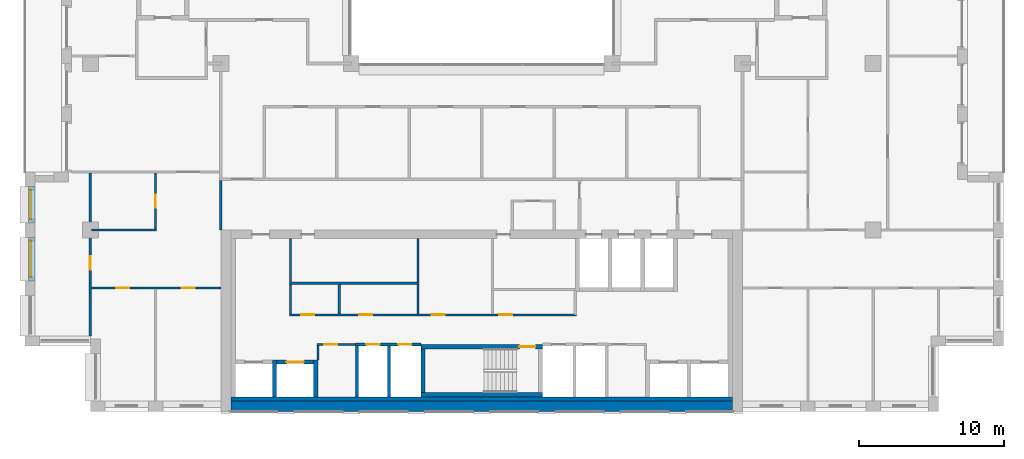
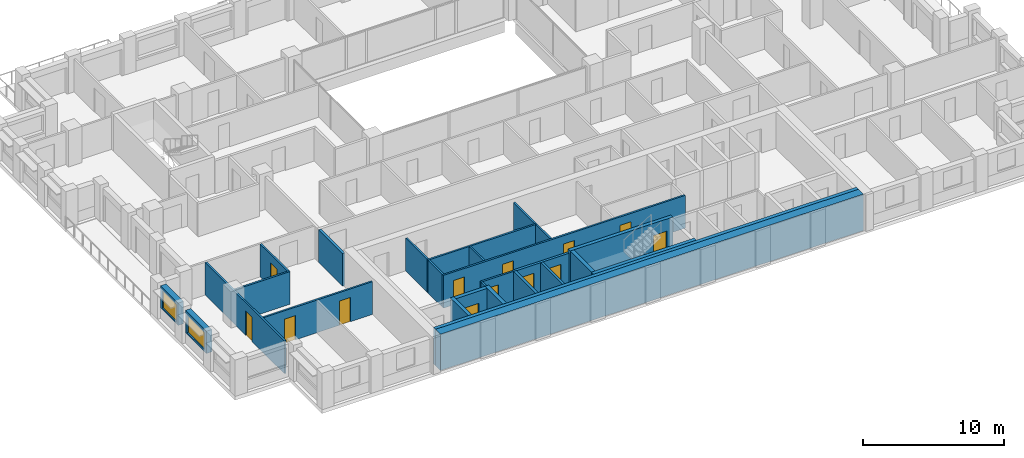
# One storey, part 8 of 15: 27 walls, 13 doors, 2 windows, 15 openings.
"""IFC4 building model written with IfcOpenShell, lengths in metres."""

import ifcopenshell
import ifcopenshell.guid

model = None  # the IFC model being written
_history = None  # IfcOwnerHistory: only IFC2X3 demands one
_inside = {}  # id of a spatial element -> (the spatial element, [elements in it])
_under = {}  # id of a project, library or spatial element -> (it, [spatial elements below it])
_declared = {}  # id of a project -> (the project, [libraries it declares])
_typed = {}  # id of a type object -> (the type object, [elements of that type])
_made_of = {}  # id of a material, layer set ... -> (it, [elements and type objects made of it])


def new_model(schema):
    """Start an empty IFC model of exactly this schema.

    Asked for "IFC4X3", IfcOpenShell would pick the latest addendum, in which some entities
    have other attributes; the version numbers below select the first issue.
    IFC2X3 requires an IfcOwnerHistory on every rooted entity: one is made here for all.
    """
    global model, _history
    if schema == "IFC4X3":
        model = ifcopenshell.file(schema_version=(4, 3, 0, 0))
    else:
        model = ifcopenshell.file(schema=schema)
    _inside.clear()
    _under.clear()
    _declared.clear()
    _typed.clear()
    _made_of.clear()
    _history = None
    if model.schema == "IFC2X3":
        org = make("IfcOrganization", Name="unknown")
        user = make(
            "IfcPersonAndOrganization",
            ThePerson=make("IfcPerson", FamilyName="unknown"),
            TheOrganization=org,
        )
        app = make(
            "IfcApplication",
            ApplicationDeveloper=org,
            Version="unknown",
            ApplicationFullName="unknown",
            ApplicationIdentifier="unknown",
        )
        _history = make(
            "IfcOwnerHistory",
            OwningUser=user,
            OwningApplication=app,
            ChangeAction="ADDED",
            CreationDate=0,
        )
    return model


def make(cls, **values):
    """One entity of the class cls with the attributes given. An attribute that is None is left unset."""
    return model.create_entity(
        cls, **{name: value for name, value in values.items() if value is not None}
    )


def rooted(cls, **values):
    """An entity with a GlobalId (a new one), such as an element, a storey or a relation."""
    return make(cls, GlobalId=ifcopenshell.guid.new(), OwnerHistory=_history, **values)


def si_unit(unit_type, name, prefix=None):
    """IfcSIUnit, for example si_unit("LENGTHUNIT", "METRE", prefix="MILLI")."""
    return make("IfcSIUnit", UnitType=unit_type, Prefix=prefix, Name=name)


def assignment(units):
    """IfcUnitAssignment: the units of a project."""
    return None if units is None else make("IfcUnitAssignment", Units=units)


def point(xyz):
    """IfcCartesianPoint."""
    return None if xyz is None else make("IfcCartesianPoint", Coordinates=xyz)


def direction(xyz):
    """IfcDirection."""
    return None if xyz is None else make("IfcDirection", DirectionRatios=xyz)


def frame(location, z_axis=None, x_axis=None):
    """IfcAxis2Placement3D, a coordinate frame: its origin and axes. An axis left out is left unset."""
    return make(
        "IfcAxis2Placement3D",
        Location=point(location),
        Axis=direction(z_axis),
        RefDirection=direction(x_axis),
    )


def frame_2d(location, x_axis=None):
    """IfcAxis2Placement2D, a coordinate frame in the plane: its origin and x axis."""
    return make(
        "IfcAxis2Placement2D", Location=point(location), RefDirection=direction(x_axis)
    )


def origin():
    """The frame at (0, 0, 0) with its axes left unset."""
    return frame((0.0, 0.0, 0.0))


def place(relative_to, where):
    """IfcLocalPlacement: puts the frame where relative to a parent placement (None: the world)."""
    return make(
        "IfcLocalPlacement", PlacementRelTo=relative_to, RelativePlacement=where
    )


def context(
    kind, dimensions, precision=None, world=None, true_north=None, identifier=None
):
    """IfcGeometricRepresentationContext, for example the 3D "Model" context."""
    return make(
        "IfcGeometricRepresentationContext",
        ContextIdentifier=identifier,
        ContextType=kind,
        CoordinateSpaceDimension=dimensions,
        Precision=precision,
        WorldCoordinateSystem=world,
        TrueNorth=true_north,
    )


def subcontext(parent, identifier, kind, view, scale=None):
    """IfcGeometricRepresentationSubContext, for example "Body" below "Model"."""
    return make(
        "IfcGeometricRepresentationSubContext",
        ContextIdentifier=identifier,
        ContextType=kind,
        ParentContext=parent,
        TargetScale=scale,
        TargetView=view,
    )


def project(units=None, contexts=None):
    """IfcProject with its units and contexts."""
    return rooted(
        "IfcProject",
        Name="project",
        RepresentationContexts=contexts,
        UnitsInContext=assignment(units),
    )


def spatial(cls, under=None, at=None, **own):
    """A site, building, storey or space (cls), placed at a placement, below another one or the project."""
    s = rooted(cls, ObjectPlacement=at, **own)
    if under is not None:
        _under.setdefault(under.id(), (under, []))[1].append(s)
    return s


def profile(cls, at=None, kind="AREA", **sizes):
    """A parametric profile (cls). Its sizes go by their IFC names, for example OverallWidth=200.0."""
    return make(cls, ProfileType=kind, Position=at, **sizes)


def rectangle(**sizes):
    """IfcRectangleProfileDef."""
    return profile("IfcRectangleProfileDef", **sizes)


def extrude(swept, where, along, depth):
    """IfcExtrudedAreaSolid: the profile swept, set in the frame where, extruded along a direction by depth."""
    return make(
        "IfcExtrudedAreaSolid",
        SweptArea=swept,
        Position=where,
        ExtrudedDirection=direction(along),
        Depth=depth,
    )


def shape(context_of_items, identifier, shape_type, items):
    """IfcShapeRepresentation: the items that make up one representation, for example the "Body"."""
    return make(
        "IfcShapeRepresentation",
        ContextOfItems=context_of_items,
        RepresentationIdentifier=identifier,
        RepresentationType=shape_type,
        Items=items,
    )


def material(Name=None, Category=None):
    """IfcMaterial."""
    return make("IfcMaterial", Name=Name, Category=Category)


def layer(
    of_material, thickness, ventilated=None, Name=None, Category=None, Priority=None
):
    """IfcMaterialLayer: one layer of a wall or slab, of a material (None: an air gap)."""
    return make(
        "IfcMaterialLayer",
        Material=of_material,
        LayerThickness=thickness,
        IsVentilated=ventilated,
        Name=Name,
        Category=Category,
        Priority=Priority,
    )


def layer_set(layers, Name=None):
    """IfcMaterialLayerSet."""
    return make("IfcMaterialLayerSet", MaterialLayers=layers, LayerSetName=Name)


def made_of(thing, what):
    """Note that an element or type object is made of a material, layer set ...; save() writes the relation."""
    if what is not None:
        _made_of.setdefault(what.id(), (what, []))[1].append(thing)
    return thing


def type_object(cls, material=None, **own):
    """A type object (cls), such as IfcWallType, which elements share."""
    return made_of(rooted(cls, **own), material)


def element(
    cls,
    number,
    at=None,
    inside=None,
    cuts=None,
    type_object=None,
    material=None,
    context=None,
    identifier="Body",
    shape_type=None,
    held_by="IfcProductDefinitionShape",
    body=None,
    shapes=None,
    **own,
):
    """One element of the class cls, such as IfcWall. Its Tag is "e" and its number.

    at: its placement. inside: the storey or other place that contains it. cuts: it is an
    opening in that element (IfcRelVoidsElement). A single representation is given by context,
    identifier, shape_type and body (its items); several are given by shapes. held_by: the class
    of the entity that holds the representations. save() writes the other relations.
    """
    e = rooted(cls, Tag="e%d" % number, ObjectPlacement=at, **own)
    if body is not None:
        shapes = [shape(context, identifier, shape_type, body)]
    if shapes is not None:
        e.Representation = make(held_by, Representations=shapes)
    if inside is not None:
        _inside.setdefault(inside.id(), (inside, []))[1].append(e)
    if cuts is not None:
        rooted(
            "IfcRelVoidsElement", RelatingBuildingElement=cuts, RelatedOpeningElement=e
        )
    if type_object is not None:
        _typed.setdefault(type_object.id(), (type_object, []))[1].append(e)
    return made_of(e, material)


def fill(opening, filler):
    """IfcRelFillsElement: the door or window that sits in an opening."""
    return rooted(
        "IfcRelFillsElement",
        RelatingOpeningElement=opening,
        RelatedBuildingElement=filler,
    )


def aggregate(whole, parts):
    """IfcRelAggregates: a whole, such as a stair, and the parts it consists of."""
    return rooted("IfcRelAggregates", RelatingObject=whole, RelatedObjects=parts)


def save(model, path):
    """Write the relations noted so far, then the file.

    IfcRelAggregates (storeys below a building ...), IfcRelContainedInSpatialStructure (elements
    in a storey), IfcRelDefinesByType, IfcRelAssociatesMaterial and IfcRelDeclares: one each for
    every whole, place, type object, material and project.
    """
    for whole, parts in _under.values():
        aggregate(whole, parts)
    for where, things in _inside.values():
        rooted(
            "IfcRelContainedInSpatialStructure",
            RelatedElements=things,
            RelatingStructure=where,
        )
    for kind, things in _typed.values():
        rooted("IfcRelDefinesByType", RelatedObjects=things, RelatingType=kind)
    for what, things in _made_of.values():
        rooted("IfcRelAssociatesMaterial", RelatedObjects=things, RelatingMaterial=what)
    for by, libraries in _declared.values():
        rooted("IfcRelDeclares", RelatingContext=by, RelatedDefinitions=libraries)
    model.write(path)


model = new_model("IFC4")

# Units and contexts
model_context = context("Model", 3, precision=1e-05, world=origin(), true_north=direction((0.0, 1.0)))
body_context = subcontext(model_context, "Body", "Model", "MODEL_VIEW")
ifc_project = project(units=[si_unit("LENGTHUNIT", "METRE"), si_unit("AREAUNIT", "SQUARE_METRE"), si_unit("VOLUMEUNIT", "CUBIC_METRE"), si_unit("PLANEANGLEUNIT", "RADIAN"), si_unit("MASSUNIT", "GRAM", prefix="KILO")], contexts=[model_context])

# Site, building, storey
site_placement = place(None, origin())
site = spatial("IfcSite", under=ifc_project, at=site_placement, CompositionType="ELEMENT")
building_placement = place(site_placement, origin())
building = spatial("IfcBuilding", under=site, at=building_placement, Name="Brigalow Station Residences", CompositionType="ELEMENT")
storey_placement = place(building_placement, frame((0.0, 0.0, 157.050048828125)))
storey = spatial("IfcBuildingStorey", under=building, at=storey_placement, Name="L45", CompositionType="ELEMENT", Elevation=157.050048828125)

# Wall, opening, window
ifc_material_1 = material(Name="Clay brick masonry", Category="masonry")
ifc_layer_1 = layer(ifc_material_1, 0.449951171875)
ifc_layer_set_1 = layer_set([ifc_layer_1], Name="BRICK INFILL WALL 450")
wall_type_1 = type_object("IfcWallType", Name="BRICK INFILL WALL 450", PredefinedType="SOLIDWALL", material=ifc_layer_set_1)
wall_1_placement = place(storey_placement, frame((4.97509765625, 15.5, 0.89990234375), z_axis=(0.0, 0.0, 1.0), x_axis=(0.0, -1.0, 0.0)))
wall_1 = element("IfcWall", 1, at=wall_1_placement, inside=storey, type_object=wall_type_1, Name="L45/ewall/W-L45-45", PredefinedType="SOLIDWALL", context=body_context, shape_type="SweptSolid", body=[
    extrude(rectangle(XDim=2.5, YDim=0.449951171875, at=frame_2d((1.25, 0.0))), origin(), (0.0, 0.0, 1.0), 1.929931640625),
])
opening_1_placement = place(wall_1_placement, frame((0.25, 0.0, 0.14990234375)))
opening_1 = element("IfcOpeningElement", 2, at=opening_1_placement, cuts=wall_1, Name="Opening WT-7", PredefinedType="OPENING", context=body_context, shape_type="SweptSolid", body=[
    extrude(rectangle(XDim=2.0, YDim=1.5, at=frame_2d((1.0, 0.75))), frame((0.0, 0.23486328125, 0.0), z_axis=(0.0, -1.0, 0.0), x_axis=(1.0, 0.0, 0.0)), (0.0, 0.0, 1.0), 0.469970703125),
])
ifc_material_2 = material(Name="Anodised aluminium frame with double glazing", Category="aluminium")
window_type_1 = type_object("IfcWindowType", Name="WINDOW 2000x1500", PartitioningType="SINGLE_PANEL", PredefinedType="WINDOW", material=ifc_material_2)
window_1_placement = place(opening_1_placement, origin())
window_1 = element("IfcWindow", 3, at=window_1_placement, inside=storey, type_object=window_type_1, Name="L45/window/W-L45-45", OverallHeight=1.5, OverallWidth=2.0, PartitioningType="SINGLE_PANEL", PredefinedType="WINDOW", context=body_context, shape_type="SweptSolid", body=[
    extrude(rectangle(XDim=2.0, YDim=1.5, at=frame_2d((1.0, 0.75))), frame((0.0, -0.06494140625, 0.0), z_axis=(0.0, -1.0, 0.0), x_axis=(1.0, 0.0, 0.0)), (0.0, 0.0, 1.0), 0.06005859375),
])
fill(opening_1, window_1)

wall_2_placement = place(storey_placement, frame((4.97509765625, 12.0, 0.89990234375), z_axis=(0.0, 0.0, 1.0), x_axis=(0.0, -1.0, 0.0)))
wall_2 = element("IfcWall", 4, at=wall_2_placement, inside=storey, type_object=wall_type_1, Name="L45/ewall/W-L45-46", PredefinedType="SOLIDWALL", context=body_context, shape_type="SweptSolid", body=[
    extrude(rectangle(XDim=3.0, YDim=0.449951171875, at=frame_2d((1.5, 0.0))), origin(), (0.0, 0.0, 1.0), 1.929931640625),
])
opening_2_placement = place(wall_2_placement, frame((0.25, 0.0, 0.14990234375)))
opening_2 = element("IfcOpeningElement", 5, at=opening_2_placement, cuts=wall_2, Name="Opening WT-5", PredefinedType="OPENING", context=body_context, shape_type="SweptSolid", body=[
    extrude(rectangle(XDim=2.5, YDim=1.5, at=frame_2d((1.25, 0.75))), frame((0.0, 0.23486328125, 0.0), z_axis=(0.0, -1.0, 0.0), x_axis=(1.0, 0.0, 0.0)), (0.0, 0.0, 1.0), 0.469970703125),
])
ifc_material_3 = material(Name="Anodised aluminium frame with double glazing", Category="aluminium")
window_type_2 = type_object("IfcWindowType", Name="WINDOW 2500x1500", PartitioningType="SINGLE_PANEL", PredefinedType="WINDOW", material=ifc_material_3)
window_2_placement = place(opening_2_placement, origin())
window_2 = element("IfcWindow", 6, at=window_2_placement, inside=storey, type_object=window_type_2, Name="L45/window/W-L45-46", OverallHeight=1.5, OverallWidth=2.5, PartitioningType="SINGLE_PANEL", PredefinedType="WINDOW", context=body_context, shape_type="SweptSolid", body=[
    extrude(rectangle(XDim=2.5, YDim=1.5, at=frame_2d((1.25, 0.75))), frame((0.0, -0.06494140625, 0.0), z_axis=(0.0, -1.0, 0.0), x_axis=(1.0, 0.0, 0.0)), (0.0, 0.0, 1.0), 0.06005859375),
])
fill(opening_2, window_2)

# Wall
ifc_material_4 = material(Name="Concrete C65", Category="concrete")
ifc_layer_2 = layer(ifc_material_4, 0.300048828125)
ifc_layer_set_2 = layer_set([ifc_layer_2], Name="CORE SHEAR WALL 300 C65")
wall_type_2 = type_object("IfcWallType", Name="CORE SHEAR WALL 300 C65", PredefinedType="SHEAR", material=ifc_layer_set_2)
wall_3_placement = place(storey_placement, frame((18.699951171875, 0.85009765625, 0.0), z_axis=(0.0, 0.0, 1.0), x_axis=(1.0, 0.0, 0.0)))
element("IfcWall", 7, at=wall_3_placement, inside=storey, type_object=wall_type_2, Name="CORE WALL LIN-S L45", PredefinedType="SHEAR", context=body_context, shape_type="SweptSolid", body=[
    extrude(rectangle(XDim=34.60009765625, YDim=0.300048828125, at=frame_2d((17.300048828125, 0.0))), origin(), (0.0, 0.0, 1.0), 3.14990234375),
])

# Wall, opening, door
wall_4_placement = place(storey_placement, frame((21.85009765625, 3.39990234375, 0.0), z_axis=(0.0, 0.0, 1.0), x_axis=(1.0, 0.0, 0.0)))
wall_4 = element("IfcWall", 8, at=wall_4_placement, inside=storey, type_object=wall_type_2, Name="CORE WALL SH-C2-N L45", PredefinedType="SHEAR", context=body_context, shape_type="SweptSolid", body=[
    extrude(rectangle(XDim=2.5498046875, YDim=0.300048828125, at=frame_2d((1.27490234375, 0.0))), origin(), (0.0, 0.0, 1.0), 3.14990234375),
])
opening_3_placement = place(wall_4_placement, frame((0.675048828125, 0.0, 0.0)))
opening_3 = element("IfcOpeningElement", 9, at=opening_3_placement, cuts=wall_4, Name="Opening LD-LB2", PredefinedType="OPENING", context=body_context, shape_type="SweptSolid", body=[
    extrude(rectangle(XDim=1.199951171875, YDim=2.10009765625, at=frame_2d((0.60009765625, 1.050048828125))), frame((0.0, 0.16015625, 0.0), z_axis=(0.0, -1.0, 0.0), x_axis=(1.0, 0.0, 0.0)), (0.0, 0.0, 1.0), 0.320068359375),
])
ifc_material_5 = material(Name="Stainless steel sliding door leaves", Category="steel")
door_type_1 = type_object("IfcDoorType", Name="LIFT LANDING DOOR 1200 x 2100", OperationType="DOUBLE_DOOR_SLIDING", PredefinedType="DOOR", material=ifc_material_5)
door_1_placement = place(opening_3_placement, origin())
door_1 = element("IfcDoor", 10, at=door_1_placement, inside=storey, type_object=door_type_1, Name="LANDING DOOR LB2", OperationType="DOUBLE_DOOR_SLIDING", OverallHeight=2.10009765625, OverallWidth=1.199951171875, PredefinedType="DOOR", context=body_context, shape_type="SweptSolid", body=[
    extrude(rectangle(XDim=1.199951171875, YDim=2.10009765625, at=frame_2d((0.60009765625, 1.050048828125))), frame((0.0, 0.02490234375, 0.0), z_axis=(0.0, -1.0, 0.0), x_axis=(1.0, 0.0, 0.0)), (0.0, 0.0, 1.0), 0.050048828125),
])
fill(opening_3, door_1)

# Walls
for number, where, z_axis, x_axis, name in (
    (11, (21.699951171875, 1.0, 0.0), (0.0, 0.0, 1.0), (0.0, 1.0, 0.0), "CORE WALL SH-C2-W L45"),
    (12, (24.550048828125, 1.0, 0.0), (0.0, 0.0, 1.0), (0.0, 1.0, 0.0), "CORE WALL SH-C2-E L45"),
):
    element("IfcWall", number, at=place(storey_placement, frame(where, z_axis=z_axis, x_axis=x_axis)), inside=storey, type_object=wall_type_2, Name=name, PredefinedType="SHEAR", context=body_context, shape_type="SweptSolid", body=[
        extrude(rectangle(XDim=2.550048828125, YDim=0.300048828125, at=frame_2d((1.27490234375, 0.0))), origin(), (0.0, 0.0, 1.0), 3.14990234375),
    ])
wall_5_placement = place(storey_placement, frame((31.800048828125, 1.14990234375, 0.0), z_axis=(0.0, 0.0, 1.0), x_axis=(1.0, 0.0, 0.0)))
element("IfcWall", 13, at=wall_5_placement, inside=storey, type_object=wall_type_2, Name="CORE WALL ST-S2-S L45", PredefinedType="SHEAR", context=body_context, shape_type="SweptSolid", body=[
    extrude(rectangle(XDim=8.39990234375, YDim=0.300048828125, at=frame_2d((4.199951171875, 0.0))), origin(), (0.0, 0.0, 1.0), 3.14990234375),
])

# Wall, opening, door
wall_6_placement = place(storey_placement, frame((31.800048828125, 4.449951171875, 0.0), z_axis=(0.0, 0.0, 1.0), x_axis=(1.0, 0.0, 0.0)))
wall_6 = element("IfcWall", 14, at=wall_6_placement, inside=storey, type_object=wall_type_2, Name="CORE WALL ST-S2-N L45", PredefinedType="SHEAR", context=body_context, shape_type="SweptSolid", body=[
    extrude(rectangle(XDim=8.39990234375, YDim=0.300048828125, at=frame_2d((4.199951171875, 0.0))), origin(), (0.0, 0.0, 1.0), 3.14990234375),
])
opening_4_placement = place(wall_6_placement, frame((6.800048828125, 0.0, 0.0)))
opening_4 = element("IfcOpeningElement", 15, at=opening_4_placement, cuts=wall_6, Name="Opening D-5001", PredefinedType="OPENING", context=body_context, shape_type="SweptSolid", body=[
    extrude(rectangle(XDim=1.10009765625, YDim=2.10009765625, at=frame_2d((0.550048828125, 1.050048828125))), frame((0.0, 0.16015625, 0.0), z_axis=(0.0, -1.0, 0.0), x_axis=(1.0, 0.0, 0.0)), (0.0, 0.0, 1.0), 0.320068359375),
])
ifc_material_6 = material(Name="Steel fire door leaf in steel frame", Category="steel")
door_type_2 = type_object("IfcDoorType", Name="STAIR DOOR 1100 x 2100 FD60S", OperationType="SINGLE_SWING_LEFT", PredefinedType="DOOR", material=ifc_material_6)
door_2_placement = place(opening_4_placement, frame((1.10009765625, 0.0, 0.0), z_axis=(0.0, 0.0, 1.0), x_axis=(-1.0, 0.0, 0.0)))
door_2 = element("IfcDoor", 16, at=door_2_placement, inside=storey, type_object=door_type_2, Name="D-5001", OperationType="SINGLE_SWING_LEFT", OverallHeight=2.10009765625, OverallWidth=1.10009765625, PredefinedType="DOOR", context=body_context, shape_type="SweptSolid", body=[
    extrude(rectangle(XDim=1.10009765625, YDim=2.10009765625, at=frame_2d((0.550048828125, 1.050048828125))), frame((0.0, 0.02490234375, 0.0), z_axis=(0.0, -1.0, 0.0), x_axis=(1.0, 0.0, 0.0)), (0.0, 0.0, 1.0), 0.050048828125),
])
fill(opening_4, door_2)

# Walls
wall_7_placement = place(storey_placement, frame((31.949951171875, 1.300048828125, 0.0), z_axis=(0.0, 0.0, 1.0), x_axis=(0.0, 1.0, 0.0)))
element("IfcWall", 17, at=wall_7_placement, inside=storey, type_object=wall_type_2, Name="CORE WALL ST-S2-W L45", PredefinedType="SHEAR", context=body_context, shape_type="SweptSolid", body=[
    extrude(rectangle(XDim=3.0, YDim=0.300048828125, at=frame_2d((1.5, 0.0))), origin(), (0.0, 0.0, 1.0), 3.14990234375),
])
ifc_material_7 = material(Name="Concrete C65", Category="concrete")
ifc_layer_3 = layer(ifc_material_7, 0.699951171875)
ifc_layer_set_3 = layer_set([ifc_layer_3], Name="CORE SHEAR WALL 700 C65")
wall_type_3 = type_object("IfcWallType", Name="CORE SHEAR WALL 700 C65", PredefinedType="SHEAR", material=ifc_layer_set_3)
wall_8_placement = place(storey_placement, frame((18.699951171875, 0.35009765625, 0.0), z_axis=(0.0, 0.0, 1.0), x_axis=(1.0, 0.0, 0.0)))
element("IfcWall", 18, at=wall_8_placement, inside=storey, type_object=wall_type_3, Name="CORE WALL OUT-S L45", PredefinedType="SHEAR", context=body_context, shape_type="SweptSolid", body=[
    extrude(rectangle(XDim=34.60009765625, YDim=0.699951171875, at=frame_2d((17.300048828125, 0.0))), origin(), (0.0, 0.0, 1.0), 3.14990234375),
])

# Wall, openings, doors
ifc_material_8 = material(Name="Concrete blockwork", Category="masonry")
ifc_layer_4 = layer(ifc_material_8, 0.199951171875)
ifc_layer_set_4 = layer_set([ifc_layer_4], Name="FIRE RATED CORE PARTITION 200")
wall_type_4 = type_object("IfcWallType", Name="FIRE RATED CORE PARTITION 200", PredefinedType="PARTITIONING", material=ifc_layer_set_4)
wall_9_placement = place(storey_placement, frame((27.300048828125, 4.60009765625, 0.0), z_axis=(0.0, 0.0, 1.0), x_axis=(1.0, 0.0, 0.0)))
wall_9 = element("IfcWall", 19, at=wall_9_placement, inside=storey, type_object=wall_type_4, Name="PW-5017", PredefinedType="PARTITIONING", context=body_context, shape_type="SweptSolid", body=[
    extrude(rectangle(XDim=4.5, YDim=0.199951171875, at=frame_2d((2.25, 0.0))), origin(), (0.0, 0.0, 1.0), 2.829833984375),
])
opening_5_placement = place(wall_9_placement, frame((0.75, 0.0, 0.0)))
opening_5 = element("IfcOpeningElement", 20, at=opening_5_placement, cuts=wall_9, Name="Opening D-5007", PredefinedType="OPENING", context=body_context, shape_type="SweptSolid", body=[
    extrude(rectangle(XDim=0.89990234375, YDim=2.10009765625, at=frame_2d((0.449951171875, 1.050048828125))), frame((0.0, 0.10986328125, 0.0), z_axis=(0.0, -1.0, 0.0), x_axis=(1.0, 0.0, 0.0)), (0.0, 0.0, 1.0), 0.219970703125),
])
opening_6_placement = place(wall_9_placement, frame((2.949951171875, 0.0, 0.0)))
opening_6 = element("IfcOpeningElement", 21, at=opening_6_placement, cuts=wall_9, Name="Opening D-5008", PredefinedType="OPENING", context=body_context, shape_type="SweptSolid", body=[
    extrude(rectangle(XDim=0.89990234375, YDim=2.10009765625, at=frame_2d((0.449951171875, 1.050048828125))), frame((0.0, 0.10986328125, 0.0), z_axis=(0.0, -1.0, 0.0), x_axis=(1.0, 0.0, 0.0)), (0.0, 0.0, 1.0), 0.219970703125),
])
ifc_material_9 = material(Name="Steel fire door leaf in steel frame", Category="steel")
door_type_3 = type_object("IfcDoorType", Name="RISER ACCESS DOOR 900 x 2100 FD120", OperationType="SINGLE_SWING_LEFT", PredefinedType="DOOR", material=ifc_material_9)
door_3_placement = place(opening_5_placement, frame((0.89990234375, 0.0, 0.0), z_axis=(0.0, 0.0, 1.0), x_axis=(-1.0, 0.0, 0.0)))
door_3 = element("IfcDoor", 22, at=door_3_placement, inside=storey, type_object=door_type_3, Name="D-5007", OperationType="SINGLE_SWING_RIGHT", OverallHeight=2.10009765625, OverallWidth=0.89990234375, PredefinedType="DOOR", context=body_context, shape_type="SweptSolid", body=[
    extrude(rectangle(XDim=0.89990234375, YDim=2.10009765625, at=frame_2d((0.449951171875, 1.050048828125))), frame((0.0, 0.02490234375, 0.0), z_axis=(0.0, -1.0, 0.0), x_axis=(1.0, 0.0, 0.0)), (0.0, 0.0, 1.0), 0.050048828125),
])
fill(opening_5, door_3)
door_4_placement = place(opening_6_placement, frame((0.89990234375, 0.0, 0.0), z_axis=(0.0, 0.0, 1.0), x_axis=(-1.0, 0.0, 0.0)))
door_4 = element("IfcDoor", 23, at=door_4_placement, inside=storey, type_object=door_type_3, Name="D-5008", OperationType="SINGLE_SWING_RIGHT", OverallHeight=2.10009765625, OverallWidth=0.89990234375, PredefinedType="DOOR", context=body_context, shape_type="SweptSolid", body=[
    extrude(rectangle(XDim=0.89990234375, YDim=2.10009765625, at=frame_2d((0.449951171875, 1.050048828125))), frame((0.0, 0.02490234375, 0.0), z_axis=(0.0, -1.0, 0.0), x_axis=(1.0, 0.0, 0.0)), (0.0, 0.0, 1.0), 0.050048828125),
])
fill(opening_6, door_4)

# Walls
wall_10_placement = place(storey_placement, frame((27.39990234375, 1.0, 0.0), z_axis=(0.0, 0.0, 1.0), x_axis=(0.0, 1.0, 0.0)))
element("IfcWall", 24, at=wall_10_placement, inside=storey, type_object=wall_type_4, Name="PW-5027", PredefinedType="PARTITIONING", context=body_context, shape_type="SweptSolid", body=[
    extrude(rectangle(XDim=3.52490234375, YDim=0.199951171875, at=frame_2d((1.762451171875, 0.0))), origin(), (0.0, 0.0, 1.0), 2.829833984375),
])
wall_11_placement = place(storey_placement, frame((29.60009765625, 1.0, 0.0), z_axis=(0.0, 0.0, 1.0), x_axis=(0.0, 1.0, 0.0)))
element("IfcWall", 25, at=wall_11_placement, inside=storey, type_object=wall_type_4, Name="PW-5006", PredefinedType="PARTITIONING", context=body_context, shape_type="SweptSolid", body=[
    extrude(rectangle(XDim=3.5, YDim=0.199951171875, at=frame_2d((1.75, 0.0))), origin(), (0.0, 0.0, 1.0), 2.829833984375),
])
wall_12_placement = place(storey_placement, frame((18.0, 12.5, 0.0), z_axis=(0.0, 0.0, 1.0), x_axis=(0.0, 1.0, 0.0)))
element("IfcWall", 26, at=wall_12_placement, inside=storey, type_object=wall_type_4, Name="PW-5013", PredefinedType="PARTITIONING", context=body_context, shape_type="SweptSolid", body=[
    extrude(rectangle(XDim=3.39990234375, YDim=0.199951171875, at=frame_2d((1.699951171875, 0.0))), origin(), (0.0, 0.0, 1.0), 2.829833984375),
])

# Wall, openings, doors
ifc_material_10 = material(Name="Plasterboard on steel stud partition", Category="steel")
ifc_layer_5 = layer(ifc_material_10, 0.14990234375)
ifc_layer_set_5 = layer_set([ifc_layer_5], Name="FLAT PARTITION 150")
wall_type_5 = type_object("IfcWallType", Name="FLAT PARTITION 150", PredefinedType="PARTITIONING", material=ifc_layer_set_5)
wall_13_placement = place(storey_placement, frame((9.074951171875, 8.5, 0.0), z_axis=(0.0, 0.0, 1.0), x_axis=(1.0, 0.0, 0.0)))
wall_13 = element("IfcWall", 27, at=wall_13_placement, inside=storey, type_object=wall_type_5, Name="PW-3B21", PredefinedType="PARTITIONING", context=body_context, shape_type="SweptSolid", body=[
    extrude(rectangle(XDim=8.925048828125, YDim=0.14990234375, at=frame_2d((4.46240234375, 0.0))), origin(), (0.0, 0.0, 1.0), 2.829833984375),
])
opening_7_placement = place(wall_13_placement, frame((1.72509765625, 0.0, 0.0)))
opening_7 = element("IfcOpeningElement", 28, at=opening_7_placement, cuts=wall_13, Name="Opening D-3B13", PredefinedType="OPENING", context=body_context, shape_type="SweptSolid", body=[
    extrude(rectangle(XDim=0.89990234375, YDim=2.10009765625, at=frame_2d((0.449951171875, 1.050048828125))), frame((0.0, 0.0849609375, 0.0), z_axis=(0.0, -1.0, 0.0), x_axis=(1.0, 0.0, 0.0)), (0.0, 0.0, 1.0), 0.169921875),
])
opening_8_placement = place(wall_13_placement, frame((6.22509765625, 0.0, 0.0)))
opening_8 = element("IfcOpeningElement", 29, at=opening_8_placement, cuts=wall_13, Name="Opening D-3B14", PredefinedType="OPENING", context=body_context, shape_type="SweptSolid", body=[
    extrude(rectangle(XDim=0.89990234375, YDim=2.10009765625, at=frame_2d((0.449951171875, 1.050048828125))), frame((0.0, 0.0849609375, 0.0), z_axis=(0.0, -1.0, 0.0), x_axis=(1.0, 0.0, 0.0)), (0.0, 0.0, 1.0), 0.169921875),
])
ifc_material_11 = material(Name="Solid-core timber door leaf", Category="wood")
door_type_4 = type_object("IfcDoorType", Name="INTERNAL DOOR 900 x 2100", OperationType="SINGLE_SWING_LEFT", PredefinedType="DOOR", material=ifc_material_11)
door_5_placement = place(opening_7_placement, frame((0.89990234375, 0.0, 0.0), z_axis=(0.0, 0.0, 1.0), x_axis=(-1.0, 0.0, 0.0)))
door_5 = element("IfcDoor", 30, at=door_5_placement, inside=storey, type_object=door_type_4, Name="D-3B13", OperationType="SINGLE_SWING_RIGHT", OverallHeight=2.10009765625, OverallWidth=0.89990234375, PredefinedType="DOOR", context=body_context, shape_type="SweptSolid", body=[
    extrude(rectangle(XDim=0.89990234375, YDim=2.10009765625, at=frame_2d((0.449951171875, 1.050048828125))), frame((0.0, 0.02490234375, 0.0), z_axis=(0.0, -1.0, 0.0), x_axis=(1.0, 0.0, 0.0)), (0.0, 0.0, 1.0), 0.050048828125),
])
fill(opening_7, door_5)
door_6_placement = place(opening_8_placement, frame((0.89990234375, 0.0, 0.0), z_axis=(0.0, 0.0, 1.0), x_axis=(-1.0, 0.0, 0.0)))
door_6 = element("IfcDoor", 31, at=door_6_placement, inside=storey, type_object=door_type_4, Name="D-3B14", OperationType="SINGLE_SWING_RIGHT", OverallHeight=2.10009765625, OverallWidth=0.89990234375, PredefinedType="DOOR", context=body_context, shape_type="SweptSolid", body=[
    extrude(rectangle(XDim=0.89990234375, YDim=2.10009765625, at=frame_2d((0.449951171875, 1.050048828125))), frame((0.0, 0.02490234375, 0.0), z_axis=(0.0, -1.0, 0.0), x_axis=(1.0, 0.0, 0.0)), (0.0, 0.0, 1.0), 0.050048828125),
])
fill(opening_8, door_6)

# Wall
wall_14_placement = place(storey_placement, frame((9.074951171875, 12.5, 0.0), z_axis=(0.0, 0.0, 1.0), x_axis=(1.0, 0.0, 0.0)))
element("IfcWall", 32, at=wall_14_placement, inside=storey, type_object=wall_type_5, Name="PW-3B23", PredefinedType="PARTITIONING", context=body_context, shape_type="SweptSolid", body=[
    extrude(rectangle(XDim=4.5, YDim=0.14990234375, at=frame_2d((2.25, 0.0))), origin(), (0.0, 0.0, 1.0), 2.829833984375),
])

# Wall, opening, door
wall_15_placement = place(storey_placement, frame((13.5, 12.574951171875, 0.0), z_axis=(0.0, 0.0, 1.0), x_axis=(0.0, 1.0, 0.0)))
wall_15 = element("IfcWall", 33, at=wall_15_placement, inside=storey, type_object=wall_type_5, Name="PW-3B37", PredefinedType="PARTITIONING", context=body_context, shape_type="SweptSolid", body=[
    extrude(rectangle(XDim=3.85009765625, YDim=0.14990234375, at=frame_2d((1.925048828125, 0.0))), origin(), (0.0, 0.0, 1.0), 2.829833984375),
])
opening_9_placement = place(wall_15_placement, frame((1.47509765625, 0.0, 0.0)))
opening_9 = element("IfcOpeningElement", 34, at=opening_9_placement, cuts=wall_15, Name="Opening D-3B16", PredefinedType="OPENING", context=body_context, shape_type="SweptSolid", body=[
    extrude(rectangle(XDim=0.89990234375, YDim=2.10009765625, at=frame_2d((0.449951171875, 1.050048828125))), frame((0.0, 0.0849609375, 0.0), z_axis=(0.0, -1.0, 0.0), x_axis=(1.0, 0.0, 0.0)), (0.0, 0.0, 1.0), 0.169921875),
])
door_7_placement = place(opening_9_placement, origin())
door_7 = element("IfcDoor", 35, at=door_7_placement, inside=storey, type_object=door_type_4, Name="D-3B16", OperationType="SINGLE_SWING_LEFT", OverallHeight=2.10009765625, OverallWidth=0.89990234375, PredefinedType="DOOR", context=body_context, shape_type="SweptSolid", body=[
    extrude(rectangle(XDim=0.89990234375, YDim=2.10009765625, at=frame_2d((0.449951171875, 1.050048828125))), frame((0.0, 0.02490234375, 0.0), z_axis=(0.0, -1.0, 0.0), x_axis=(1.0, 0.0, 0.0)), (0.0, 0.0, 1.0), 0.050048828125),
])
fill(opening_9, door_7)

wall_16_placement = place(storey_placement, frame((9.0, 5.199951171875, 0.0), z_axis=(0.0, 0.0, 1.0), x_axis=(0.0, 1.0, 0.0)))
wall_16 = element("IfcWall", 36, at=wall_16_placement, inside=storey, type_object=wall_type_5, Name="PW-3B39", PredefinedType="PARTITIONING", context=body_context, shape_type="SweptSolid", body=[
    extrude(rectangle(XDim=11.22509765625, YDim=0.14990234375, at=frame_2d((5.612548828125, 0.0))), origin(), (0.0, 0.0, 1.0), 2.829833984375),
])
opening_10_placement = place(wall_16_placement, frame((4.574951171875, 0.0, 0.0)))
opening_10 = element("IfcOpeningElement", 37, at=opening_10_placement, cuts=wall_16, Name="Opening D-3B15", PredefinedType="OPENING", context=body_context, shape_type="SweptSolid", body=[
    extrude(rectangle(XDim=0.89990234375, YDim=2.10009765625, at=frame_2d((0.449951171875, 1.050048828125))), frame((0.0, 0.0849609375, 0.0), z_axis=(0.0, -1.0, 0.0), x_axis=(1.0, 0.0, 0.0)), (0.0, 0.0, 1.0), 0.169921875),
])
door_8_placement = place(opening_10_placement, origin())
door_8 = element("IfcDoor", 38, at=door_8_placement, inside=storey, type_object=door_type_4, Name="D-3B15", OperationType="SINGLE_SWING_LEFT", OverallHeight=2.10009765625, OverallWidth=0.89990234375, PredefinedType="DOOR", context=body_context, shape_type="SweptSolid", body=[
    extrude(rectangle(XDim=0.89990234375, YDim=2.10009765625, at=frame_2d((0.449951171875, 1.050048828125))), frame((0.0, 0.02490234375, 0.0), z_axis=(0.0, -1.0, 0.0), x_axis=(1.0, 0.0, 0.0)), (0.0, 0.0, 1.0), 0.050048828125),
])
fill(opening_10, door_8)

ifc_material_12 = material(Name="Plasterboard on steel studs", Category="steel")
ifc_layer_6 = layer(ifc_material_12, 0.14990234375)
ifc_layer_set_6 = layer_set([ifc_layer_6], Name="SERVICE ROOM PARTITION 150")
wall_type_6 = type_object("IfcWallType", Name="SERVICE ROOM PARTITION 150", PredefinedType="PARTITIONING", material=ifc_layer_set_6)
wall_17_placement = place(storey_placement, frame((24.625, 4.60009765625, 0.0), z_axis=(0.0, 0.0, 1.0), x_axis=(1.0, 0.0, 0.0)))
wall_17 = element("IfcWall", 39, at=wall_17_placement, inside=storey, type_object=wall_type_6, Name="PW-5155", PredefinedType="PARTITIONING", context=body_context, shape_type="SweptSolid", body=[
    extrude(rectangle(XDim=2.675048828125, YDim=0.14990234375, at=frame_2d((1.33740234375, 0.0))), origin(), (0.0, 0.0, 1.0), 2.829833984375),
])
opening_11_placement = place(wall_17_placement, frame((0.52490234375, 0.0, 0.0)))
opening_11 = element("IfcOpeningElement", 40, at=opening_11_placement, cuts=wall_17, Name="Opening D-5087", PredefinedType="OPENING", context=body_context, shape_type="SweptSolid", body=[
    extrude(rectangle(XDim=0.89990234375, YDim=2.10009765625, at=frame_2d((0.449951171875, 1.050048828125))), frame((0.0, 0.0849609375, 0.0), z_axis=(0.0, -1.0, 0.0), x_axis=(1.0, 0.0, 0.0)), (0.0, 0.0, 1.0), 0.169921875),
])
ifc_material_13 = material(Name="Steel door leaf in steel frame", Category="steel")
door_type_5 = type_object("IfcDoorType", Name="SERVICE ROOM DOOR 900 x 2100 FD60", OperationType="SINGLE_SWING_LEFT", PredefinedType="DOOR", material=ifc_material_13)
door_9_placement = place(opening_11_placement, frame((0.89990234375, 0.0, 0.0), z_axis=(0.0, 0.0, 1.0), x_axis=(-1.0, 0.0, 0.0)))
door_9 = element("IfcDoor", 41, at=door_9_placement, inside=storey, type_object=door_type_5, Name="D-5087", OperationType="SINGLE_SWING_RIGHT", OverallHeight=2.10009765625, OverallWidth=0.89990234375, PredefinedType="DOOR", context=body_context, shape_type="SweptSolid", body=[
    extrude(rectangle(XDim=0.89990234375, YDim=2.10009765625, at=frame_2d((0.449951171875, 1.050048828125))), frame((0.0, 0.02490234375, 0.0), z_axis=(0.0, -1.0, 0.0), x_axis=(1.0, 0.0, 0.0)), (0.0, 0.0, 1.0), 0.050048828125),
])
fill(opening_11, door_9)

# Wall, openings, doors
wall_18_placement = place(storey_placement, frame((22.72509765625, 6.64990234375, 0.0), z_axis=(0.0, 0.0, 1.0), x_axis=(1.0, 0.0, 0.0)))
wall_18 = element("IfcWall", 42, at=wall_18_placement, inside=storey, type_object=wall_type_6, Name="PW-5195", PredefinedType="PARTITIONING", context=body_context, shape_type="SweptSolid", body=[
    extrude(rectangle(XDim=19.7998046875, YDim=0.14990234375, at=frame_2d((9.89990234375, 0.0))), origin(), (0.0, 0.0, 1.0), 2.829833984375),
])
opening_12_placement = place(wall_18_placement, frame((0.824951171875, 0.0, 0.0)))
opening_12 = element("IfcOpeningElement", 43, at=opening_12_placement, cuts=wall_18, Name="Opening D-5110", PredefinedType="OPENING", context=body_context, shape_type="SweptSolid", body=[
    extrude(rectangle(XDim=0.89990234375, YDim=2.10009765625, at=frame_2d((0.449951171875, 1.050048828125))), frame((0.0, 0.0849609375, 0.0), z_axis=(0.0, -1.0, 0.0), x_axis=(1.0, 0.0, 0.0)), (0.0, 0.0, 1.0), 0.169921875),
])
opening_13_placement = place(wall_18_placement, frame((4.824951171875, 0.0, 0.0)))
opening_13 = element("IfcOpeningElement", 44, at=opening_13_placement, cuts=wall_18, Name="Opening D-5116", PredefinedType="OPENING", context=body_context, shape_type="SweptSolid", body=[
    extrude(rectangle(XDim=0.89990234375, YDim=2.10009765625, at=frame_2d((0.449951171875, 1.050048828125))), frame((0.0, 0.0849609375, 0.0), z_axis=(0.0, -1.0, 0.0), x_axis=(1.0, 0.0, 0.0)), (0.0, 0.0, 1.0), 0.169921875),
])
opening_14_placement = place(wall_18_placement, frame((9.824951171875, 0.0, 0.0)))
opening_14 = element("IfcOpeningElement", 45, at=opening_14_placement, cuts=wall_18, Name="Opening D-5117", PredefinedType="OPENING", context=body_context, shape_type="SweptSolid", body=[
    extrude(rectangle(XDim=0.89990234375, YDim=2.10009765625, at=frame_2d((0.449951171875, 1.050048828125))), frame((0.0, 0.0849609375, 0.0), z_axis=(0.0, -1.0, 0.0), x_axis=(1.0, 0.0, 0.0)), (0.0, 0.0, 1.0), 0.169921875),
])
opening_15_placement = place(wall_18_placement, frame((14.47509765625, 0.0, 0.0)))
opening_15 = element("IfcOpeningElement", 46, at=opening_15_placement, cuts=wall_18, Name="Opening D-5114", PredefinedType="OPENING", context=body_context, shape_type="SweptSolid", body=[
    extrude(rectangle(XDim=0.89990234375, YDim=2.10009765625, at=frame_2d((0.449951171875, 1.050048828125))), frame((0.0, 0.0849609375, 0.0), z_axis=(0.0, -1.0, 0.0), x_axis=(1.0, 0.0, 0.0)), (0.0, 0.0, 1.0), 0.169921875),
])
door_10_placement = place(opening_12_placement, origin())
door_10 = element("IfcDoor", 47, at=door_10_placement, inside=storey, type_object=door_type_5, Name="D-5110", OperationType="SINGLE_SWING_LEFT", OverallHeight=2.10009765625, OverallWidth=0.89990234375, PredefinedType="DOOR", context=body_context, shape_type="SweptSolid", body=[
    extrude(rectangle(XDim=0.89990234375, YDim=2.10009765625, at=frame_2d((0.449951171875, 1.050048828125))), frame((0.0, 0.02490234375, 0.0), z_axis=(0.0, -1.0, 0.0), x_axis=(1.0, 0.0, 0.0)), (0.0, 0.0, 1.0), 0.050048828125),
])
fill(opening_12, door_10)
door_11_placement = place(opening_13_placement, origin())
door_11 = element("IfcDoor", 48, at=door_11_placement, inside=storey, type_object=door_type_5, Name="D-5116", OperationType="SINGLE_SWING_LEFT", OverallHeight=2.10009765625, OverallWidth=0.89990234375, PredefinedType="DOOR", context=body_context, shape_type="SweptSolid", body=[
    extrude(rectangle(XDim=0.89990234375, YDim=2.10009765625, at=frame_2d((0.449951171875, 1.050048828125))), frame((0.0, 0.02490234375, 0.0), z_axis=(0.0, -1.0, 0.0), x_axis=(1.0, 0.0, 0.0)), (0.0, 0.0, 1.0), 0.050048828125),
])
fill(opening_13, door_11)
door_12_placement = place(opening_14_placement, origin())
door_12 = element("IfcDoor", 49, at=door_12_placement, inside=storey, type_object=door_type_5, Name="D-5117", OperationType="SINGLE_SWING_LEFT", OverallHeight=2.10009765625, OverallWidth=0.89990234375, PredefinedType="DOOR", context=body_context, shape_type="SweptSolid", body=[
    extrude(rectangle(XDim=0.89990234375, YDim=2.10009765625, at=frame_2d((0.449951171875, 1.050048828125))), frame((0.0, 0.02490234375, 0.0), z_axis=(0.0, -1.0, 0.0), x_axis=(1.0, 0.0, 0.0)), (0.0, 0.0, 1.0), 0.050048828125),
])
fill(opening_14, door_12)
door_13_placement = place(opening_15_placement, origin())
door_13 = element("IfcDoor", 50, at=door_13_placement, inside=storey, type_object=door_type_5, Name="D-5114", OperationType="SINGLE_SWING_LEFT", OverallHeight=2.10009765625, OverallWidth=0.89990234375, PredefinedType="DOOR", context=body_context, shape_type="SweptSolid", body=[
    extrude(rectangle(XDim=0.89990234375, YDim=2.10009765625, at=frame_2d((0.449951171875, 1.050048828125))), frame((0.0, 0.02490234375, 0.0), z_axis=(0.0, -1.0, 0.0), x_axis=(1.0, 0.0, 0.0)), (0.0, 0.0, 1.0), 0.050048828125),
])
fill(opening_15, door_13)

# Walls
wall_19_placement = place(storey_placement, frame((22.72509765625, 8.830078125, 0.0), z_axis=(0.0, 0.0, 1.0), x_axis=(1.0, 0.0, 0.0)))
element("IfcWall", 51, at=wall_19_placement, inside=storey, type_object=wall_type_6, Name="PW-5205", PredefinedType="PARTITIONING", context=body_context, shape_type="SweptSolid", body=[
    extrude(rectangle(XDim=8.9599609375, YDim=0.14990234375, at=frame_2d((4.47998046875, 0.0))), origin(), (0.0, 0.0, 1.0), 2.829833984375),
])
wall_20_placement = place(storey_placement, frame((24.699951171875, 3.550048828125, 0.0), z_axis=(0.0, 0.0, 1.0), x_axis=(0.0, 1.0, 0.0)))
element("IfcWall", 52, at=wall_20_placement, inside=storey, type_object=wall_type_6, Name="PW-5157", PredefinedType="PARTITIONING", context=body_context, shape_type="SweptSolid", body=[
    extrude(rectangle(XDim=0.974853515625, YDim=0.14990234375, at=frame_2d((0.4873046875, 0.0))), origin(), (0.0, 0.0, 1.0), 2.829833984375),
])
for number, where, z_axis, x_axis, name in (
    (53, (22.800048828125, 6.72509765625, 0.0), (0.0, 0.0, 1.0), (0.0, 1.0, 0.0), "PW-5207"),
    (54, (26.169921875, 6.72509765625, 0.0), (0.0, 0.0, 1.0), (0.0, 1.0, 0.0), "PW-5208"),
    (55, (31.610107421875, 6.72509765625, 0.0), (0.0, 0.0, 1.0), (0.0, 1.0, 0.0), "PW-5209"),
):
    element("IfcWall", number, at=place(storey_placement, frame(where, z_axis=z_axis, x_axis=x_axis)), inside=storey, type_object=wall_type_6, Name=name, PredefinedType="PARTITIONING", context=body_context, shape_type="SweptSolid", body=[
        extrude(rectangle(XDim=2.02978515625, YDim=0.14990234375, at=frame_2d((1.014892578125, 0.0))), origin(), (0.0, 0.0, 1.0), 2.829833984375),
    ])
for number, where, z_axis, x_axis, name in (
    (56, (22.800048828125, 8.905029296875, 0.0), (0.0, 0.0, 1.0), (0.0, 1.0, 0.0), "PW-5212"),
    (57, (31.610107421875, 8.905029296875, 0.0), (0.0, 0.0, 1.0), (0.0, 1.0, 0.0), "PW-5213"),
):
    element("IfcWall", number, at=place(storey_placement, frame(where, z_axis=z_axis, x_axis=x_axis)), inside=storey, type_object=wall_type_6, Name=name, PredefinedType="PARTITIONING", context=body_context, shape_type="SweptSolid", body=[
        extrude(rectangle(XDim=2.994873046875, YDim=0.14990234375, at=frame_2d((1.49755859375, 0.0))), origin(), (0.0, 0.0, 1.0), 2.829833984375),
    ])

save(model, "model.ifc")
